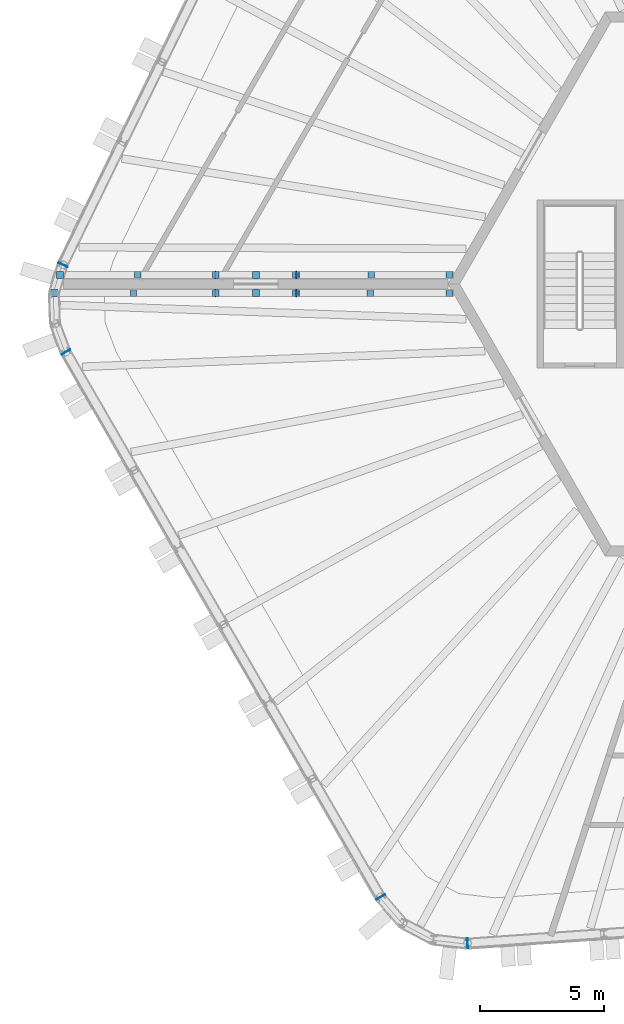
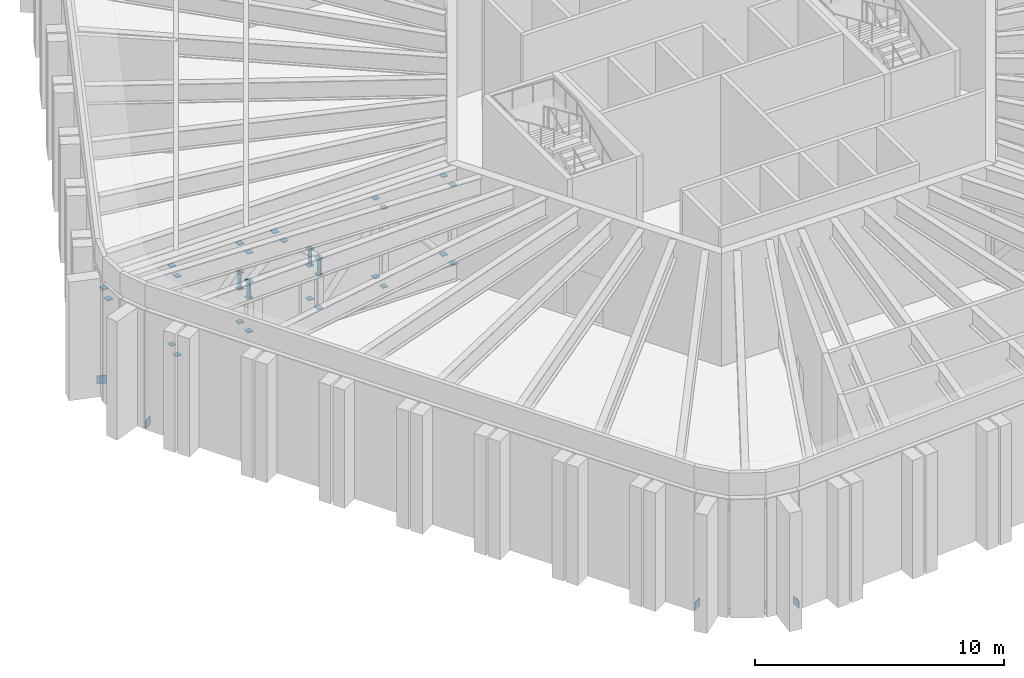
# One storey, part 13 of 19: 38 discrete accessories.
"""IFC4 building model written with IfcOpenShell, lengths in metres."""

from ifc_helpers import new_model, si_unit, direction, frame, origin, origin_2d, place, context, subcontext, project, spatial, rectangle, extrude, material, type_object, element, save


model = new_model("IFC4")

# Units and contexts
model_context = context("Model", 3, precision=1e-05, world=origin(), true_north=direction((0.0, 1.0)))
body_context = subcontext(model_context, "Body", "Model", "MODEL_VIEW")
ifc_project = project(units=[si_unit("LENGTHUNIT", "METRE"), si_unit("AREAUNIT", "SQUARE_METRE"), si_unit("VOLUMEUNIT", "CUBIC_METRE"), si_unit("PLANEANGLEUNIT", "RADIAN"), si_unit("MASSUNIT", "GRAM", prefix="KILO")], contexts=[model_context])

# Site, building, storey
site_placement = place(None, origin())
site = spatial("IfcSite", under=ifc_project, at=site_placement, CompositionType="ELEMENT")
building_placement = place(site_placement, origin())
building = spatial("IfcBuilding", under=site, at=building_placement, Name="Tarnside Tower", CompositionType="ELEMENT")
storey_placement = place(building_placement, frame((0.0, 0.0, 343.5)))
storey = spatial("IfcBuildingStorey", under=building, at=storey_placement, Name="L83", CompositionType="ELEMENT", Elevation=343.5)

# Discrete accessories
ifc_material = material(Name="Steel S355", Category="steel")
discrete_accessory_type_1 = type_object("IfcDiscreteAccessoryType", Name="Cast-in plate L83 belt truss chord end", PredefinedType="USERDEFINED", material=ifc_material)
for number, where, z_axis, x_axis, name in (
    (1, (-28.271728515625, 0.7744140625, -0.300048828125), (0.0, 0.0, 1.0), (-0.438371146789, -0.898794046299, 0.0), "Cast-in plate run L83 B"),
    (2, (-28.14892578125, -2.74462890625, -0.300048828125), (0.0, 0.0, 1.0), (0.5, -0.866025403784, 0.0), "Cast-in plate run L83 A"),
    (3, (-15.426513671875, -24.780517578125, -0.300048828125), (0.0, 0.0, 1.0), (0.5, -0.866025403784, 0.0), "Cast-in plate run L83 B"),
    (4, (-11.91748046875, -26.646240234375, -0.300048828125), (0.0, 0.0, 1.0), (0.99756405026, 0.069756473744, 0.0), "Cast-in plate run L83 A"),
):
    element("IfcDiscreteAccessory", number, at=place(storey_placement, frame(where, z_axis=z_axis, x_axis=x_axis)), inside=storey, type_object=discrete_accessory_type_1, Name=name, ObjectType="Cast-in plate", PredefinedType="USERDEFINED", context=body_context, shape_type="SweptSolid", body=[
        extrude(rectangle(XDim=0.030029296875, YDim=0.39892578125, at=origin_2d()), origin(), (0.0, 0.0, 1.0), 0.3935546875),
    ])
discrete_accessory_type_2 = type_object("IfcDiscreteAccessoryType", Name="Gusset plate L83 outrigger end 261", PredefinedType="USERDEFINED", material=ifc_material)
for number, where, z_axis, x_axis, name in (
    (5, (-12.65625, -0.36572265625, 0.8046875), (0.0, 0.0, 1.0), (1.0, 0.0, 0.0), "Gusset plate 37 L83"),
    (6, (-12.65625, -0.36572265625, 4.6650390625), (0.0, 0.0, 1.0), (1.0, 0.0, 0.0), "Gusset plate 38 L83"),
    (7, (-15.84765625, -0.36572265625, 0.8046875), (0.0, 0.0, 1.0), (1.0, 0.0, 0.0), "Gusset plate 39 L83"),
    (8, (-15.84765625, -0.36572265625, 4.6650390625), (0.0, 0.0, 1.0), (1.0, 0.0, 0.0), "Gusset plate 40 L83"),
    (9, (-18.855712890625, -0.36572265625, 0.8046875), (0.0, 0.0, 1.0), (1.0, 0.0, 0.0), "Gusset plate 41 L83"),
    (10, (-18.855712890625, -0.36572265625, 2.4501953125), (0.0, 0.0, 1.0), (1.0, 0.0, 0.0), "Gusset plate 42 L83"),
    (11, (-22.09228515625, -0.36572265625, 0.8046875), (0.0, 0.0, 1.0), (1.0, 0.0, 0.0), "Gusset plate 43 L83"),
    (12, (-22.09228515625, -0.36572265625, 2.4501953125), (0.0, 0.0, 1.0), (1.0, 0.0, 0.0), "Gusset plate 44 L83"),
    (13, (-25.421875, -0.36572265625, 0.8046875), (0.0, 0.0, 1.0), (1.0, 0.0, 0.0), "Gusset plate 45 L83"),
    (14, (-25.421875, -0.36572265625, 4.6650390625), (0.0, 0.0, 1.0), (1.0, 0.0, 0.0), "Gusset plate 46 L83"),
    (15, (-12.65625, 0.365966796875, 0.8046875), (0.0, 0.0, 1.0), (1.0, 0.0, 0.0), "Gusset plate 54 L83"),
    (16, (-12.65625, 0.365966796875, 4.6650390625), (0.0, 0.0, 1.0), (1.0, 0.0, 0.0), "Gusset plate 55 L83"),
    (17, (-15.803955078125, 0.365966796875, 0.8046875), (0.0, 0.0, 1.0), (1.0, 0.0, 0.0), "Gusset plate 56 L83"),
    (18, (-15.803955078125, 0.365966796875, 4.6650390625), (0.0, 0.0, 1.0), (1.0, 0.0, 0.0), "Gusset plate 57 L83"),
    (19, (-18.855712890625, 0.365966796875, 0.8046875), (0.0, 0.0, 1.0), (1.0, 0.0, 0.0), "Gusset plate 58 L83"),
    (20, (-18.855712890625, 0.365966796875, 2.4501953125), (0.0, 0.0, 1.0), (1.0, 0.0, 0.0), "Gusset plate 59 L83"),
    (21, (-22.09228515625, 0.365966796875, 0.8046875), (0.0, 0.0, 1.0), (1.0, 0.0, 0.0), "Gusset plate 60 L83"),
    (22, (-22.09228515625, 0.365966796875, 2.4501953125), (0.0, 0.0, 1.0), (1.0, 0.0, 0.0), "Gusset plate 61 L83"),
    (23, (-25.24658203125, 0.365966796875, 0.8046875), (0.0, 0.0, 1.0), (1.0, 0.0, 0.0), "Gusset plate 62 L83"),
    (24, (-25.24658203125, 0.365966796875, 4.6650390625), (0.0, 0.0, 1.0), (1.0, 0.0, 0.0), "Gusset plate 63 L83"),
):
    element("IfcDiscreteAccessory", number, at=place(storey_placement, frame(where, z_axis=z_axis, x_axis=x_axis)), inside=storey, type_object=discrete_accessory_type_2, Name=name, ObjectType="Gusset plate", PredefinedType="USERDEFINED", context=body_context, shape_type="SweptSolid", body=[
        extrude(rectangle(XDim=0.26123046875, YDim=0.26123046875, at=origin_2d()), origin(), (0.0, 0.0, 1.0), 0.030029296875),
    ])
discrete_accessory_type_3 = type_object("IfcDiscreteAccessoryType", Name="Gusset plate L83 outrigger end 273", PredefinedType="USERDEFINED", material=ifc_material)
for number, where, z_axis, x_axis, name in (
    (25, (-18.855712890625, -0.36572265625, 3.2548828125), (0.0, 0.0, 1.0), (1.0, 0.0, 0.0), "Gusset plate 47 L83"),
    (26, (-20.473876953125, -0.36572265625, 4.6650390625), (0.0, 0.0, 1.0), (1.0, 0.0, 0.0), "Gusset plate 48 L83"),
    (27, (-22.09228515625, -0.36572265625, 3.2548828125), (0.0, 0.0, 1.0), (1.0, 0.0, 0.0), "Gusset plate 49 L83"),
    (28, (-22.09228515625, -0.36572265625, 4.6650390625), (0.0, 0.0, 1.0), (1.0, 0.0, 0.0), "Gusset plate 50 L83"),
    (29, (-28.61328125, -0.36572265625, 4.6650390625), (0.0, 0.0, 1.0), (1.0, 0.0, 0.0), "Gusset plate 51 L83"),
    (30, (-18.855712890625, 0.365966796875, 3.2548828125), (0.0, 0.0, 1.0), (1.0, 0.0, 0.0), "Gusset plate 64 L83"),
    (31, (-20.473876953125, 0.365966796875, 4.6650390625), (0.0, 0.0, 1.0), (1.0, 0.0, 0.0), "Gusset plate 65 L83"),
    (32, (-22.09228515625, 0.365966796875, 3.2548828125), (0.0, 0.0, 1.0), (1.0, 0.0, 0.0), "Gusset plate 66 L83"),
    (33, (-22.09228515625, 0.365966796875, 4.6650390625), (0.0, 0.0, 1.0), (1.0, 0.0, 0.0), "Gusset plate 67 L83"),
    (34, (-28.39404296875, 0.365966796875, 4.6650390625), (0.0, 0.0, 1.0), (1.0, 0.0, 0.0), "Gusset plate 68 L83"),
):
    element("IfcDiscreteAccessory", number, at=place(storey_placement, frame(where, z_axis=z_axis, x_axis=x_axis)), inside=storey, type_object=discrete_accessory_type_3, Name=name, ObjectType="Gusset plate", PredefinedType="USERDEFINED", context=body_context, shape_type="SweptSolid", body=[
        extrude(rectangle(XDim=0.27294921875, YDim=0.27294921875, at=origin_2d()), origin(), (0.0, 0.0, 1.0), 0.030029296875),
    ])
discrete_accessory_type_4 = type_object("IfcDiscreteAccessoryType", Name="Gusset plate L83 outrigger end 292", PredefinedType="USERDEFINED", material=ifc_material)
for number, where, z_axis, x_axis, name in (
    (35, (-18.840576171875, -0.36572265625, 2.449951171875), (0.0, 0.0, 1.0), (1.0, 0.0, 0.0), "Gusset plate 35 L83"),
    (36, (-22.107421875, -0.36572265625, 2.449951171875), (0.0, 0.0, 1.0), (-1.0, 0.0, 0.0), "Gusset plate 36 L83"),
    (37, (-18.840576171875, 0.365966796875, 2.449951171875), (0.0, 0.0, 1.0), (1.0, 0.0, 0.0), "Gusset plate 52 L83"),
    (38, (-22.107421875, 0.365966796875, 2.449951171875), (0.0, 0.0, 1.0), (-1.0, 0.0, 0.0), "Gusset plate 53 L83"),
):
    element("IfcDiscreteAccessory", number, at=place(storey_placement, frame(where, z_axis=z_axis, x_axis=x_axis)), inside=storey, type_object=discrete_accessory_type_4, Name=name, ObjectType="Gusset plate", PredefinedType="USERDEFINED", context=body_context, shape_type="SweptSolid", body=[
        extrude(rectangle(XDim=0.030029296875, YDim=0.291748046875, at=origin_2d()), origin(), (0.0, 0.0, 1.0), 0.8349609375),
    ])

save(model, "model.ifc")
